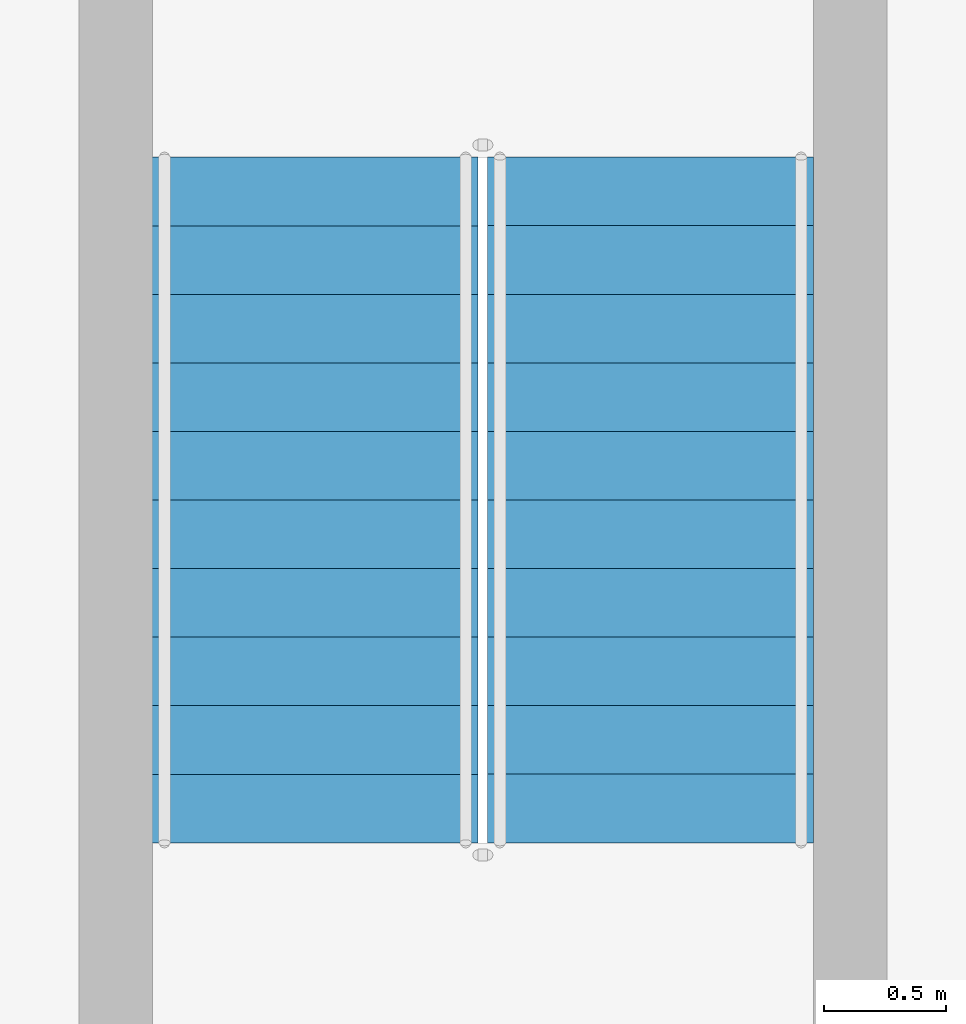
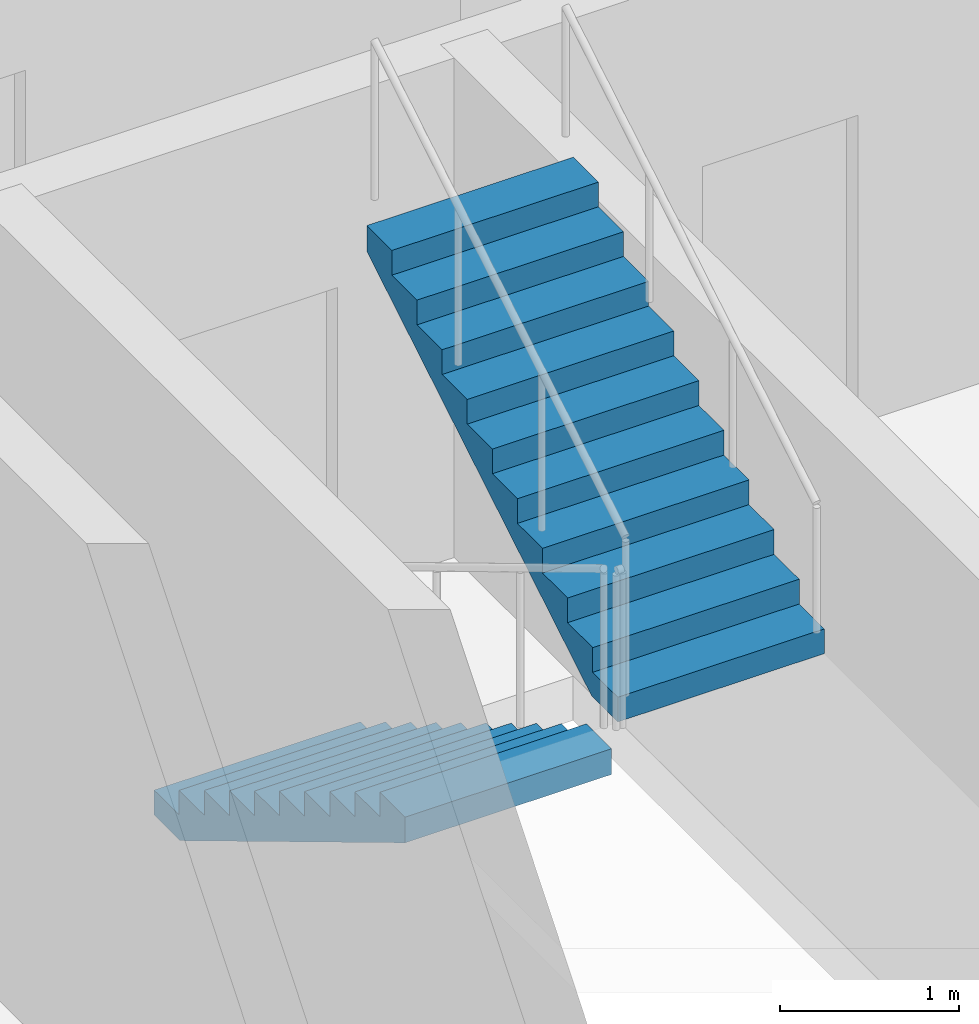
# One storey, part 30 of 40: 2 stair flights, 1 element without a shape of its own.
"""IFC4 building model written with IfcOpenShell, lengths in metres."""

from ifc_helpers import new_model, si_unit, direction, frame, origin, place, context, subcontext, project, spatial, triangles, source, transform, mapped, material, type_object, element, aggregate, save


model = new_model("IFC4")

# Units and contexts
model_context = context("Model", 3, precision=1e-05, world=origin(), true_north=direction((0.0, 1.0)))
body_context = subcontext(model_context, "Body", "Model", "MODEL_VIEW")
ifc_project = project(units=[si_unit("LENGTHUNIT", "METRE"), si_unit("AREAUNIT", "SQUARE_METRE"), si_unit("VOLUMEUNIT", "CUBIC_METRE"), si_unit("PLANEANGLEUNIT", "RADIAN"), si_unit("MASSUNIT", "GRAM", prefix="KILO")], contexts=[model_context])

# Site, building, storey
site_placement = place(None, origin())
site = spatial("IfcSite", under=ifc_project, at=site_placement, CompositionType="ELEMENT")
building_placement = place(site_placement, origin())
building = spatial("IfcBuilding", under=site, at=building_placement, Name="Ogive Portal Towers", CompositionType="ELEMENT")
storey_placement = place(building_placement, frame((0.0, 0.0, 87.10009765625)))
storey = spatial("IfcBuildingStorey", under=building, at=storey_placement, Name="L20", CompositionType="ELEMENT", Elevation=87.10009765625)

# Stair, stair flights
ifc_material = material(Name="Concrete C40/50", Category="concrete")
stair_type = type_object("IfcStairType", Name="INT-STAIR", PredefinedType="HALF_TURN_STAIR", material=ifc_material)
stair_placement = place(storey_placement, origin())
stair = element("IfcStair", 1, at=stair_placement, inside=storey, type_object=stair_type, Name="L20 Exit Stair ST-A4", PredefinedType="HALF_TURN_STAIR")
stair_flight_type = type_object("IfcStairFlightType", Name="INT-FLIGHT", PredefinedType="STRAIGHT", material=ifc_material)
shared_shape = source(origin(), body_context, "Body", "Tessellation", [
    triangles([(0.0, -0.6650390625, 0.0), (0.0, -0.384765625, 0.0), (0.0, -0.197021484375, 0.0), (0.0, -0.0830078125, 0.0), (0.0, -0.024658203125, 0.0), (0.0, -0.003173828125, 0.0), (0.0, 0.0, 0.0), (0.0, 0.003173828125, 0.0), (0.0, 0.024658203125, 0.0), (0.0, 0.0830078125, 0.0), (0.0, 0.197021484375, 0.0), (0.0, 0.384765625, 0.0), (0.0, 0.6650390625, 0.0), (0.0, -0.6650390625, 0.168212890625), (0.0, -0.384765625, 0.168212890625), (0.0, -0.197021484375, 0.168212890625), (0.0, -0.0830078125, 0.168212890625), (0.0, -0.024658203125, 0.168212890625), (0.0, -0.003173828125, 0.168212890625), (0.0, 0.0, 0.168212890625), (0.0, 0.003173828125, 0.168212890625), (0.0, 0.024658203125, 0.168212890625), (0.0, 0.0830078125, 0.168212890625), (0.0, 0.197021484375, 0.168212890625), (0.0, 0.384765625, 0.168212890625), (0.0, 0.6650390625, 0.168212890625), (0.280029296875, -0.6650390625, 0.168212890625), (0.280029296875, -0.384765625, 0.168212890625), (0.280029296875, -0.197021484375, 0.168212890625), (0.280029296875, -0.0830078125, 0.168212890625), (0.280029296875, -0.024658203125, 0.168212890625), (0.280029296875, -0.003173828125, 0.168212890625), (0.280029296875, 0.0, 0.168212890625), (0.280029296875, 0.003173828125, 0.168212890625), (0.280029296875, 0.024658203125, 0.168212890625), (0.280029296875, 0.0830078125, 0.168212890625), (0.280029296875, 0.197021484375, 0.168212890625), (0.280029296875, 0.384765625, 0.168212890625), (0.280029296875, 0.6650390625, 0.168212890625), (0.280029296875, -0.6650390625, 0.33642578125), (0.280029296875, -0.384765625, 0.33642578125), (0.280029296875, -0.197021484375, 0.33642578125), (0.280029296875, -0.0830078125, 0.33642578125), (0.280029296875, -0.024658203125, 0.33642578125), (0.280029296875, -0.003173828125, 0.33642578125), (0.280029296875, 0.0, 0.33642578125), (0.280029296875, 0.003173828125, 0.33642578125), (0.280029296875, 0.024658203125, 0.33642578125), (0.280029296875, 0.0830078125, 0.33642578125), (0.280029296875, 0.197021484375, 0.33642578125), (0.280029296875, 0.384765625, 0.33642578125), (0.280029296875, 0.6650390625, 0.33642578125), (0.56005859375, -0.6650390625, 0.33642578125), (0.56005859375, -0.384765625, 0.33642578125), (0.56005859375, -0.197021484375, 0.33642578125), (0.56005859375, -0.0830078125, 0.33642578125), (0.56005859375, -0.024658203125, 0.33642578125), (0.56005859375, -0.003173828125, 0.33642578125), (0.56005859375, 0.0, 0.33642578125), (0.56005859375, 0.003173828125, 0.33642578125), (0.56005859375, 0.024658203125, 0.33642578125), (0.56005859375, 0.0830078125, 0.33642578125), (0.56005859375, 0.197021484375, 0.33642578125), (0.56005859375, 0.384765625, 0.33642578125), (0.56005859375, 0.6650390625, 0.33642578125), (0.56005859375, -0.6650390625, 0.504638671875), (0.56005859375, -0.384765625, 0.504638671875), (0.56005859375, -0.197021484375, 0.504638671875), (0.56005859375, -0.0830078125, 0.504638671875), (0.56005859375, -0.024658203125, 0.504638671875), (0.56005859375, -0.003173828125, 0.504638671875), (0.56005859375, 0.0, 0.504638671875), (0.56005859375, 0.003173828125, 0.504638671875), (0.56005859375, 0.024658203125, 0.504638671875), (0.56005859375, 0.0830078125, 0.504638671875), (0.56005859375, 0.197021484375, 0.504638671875), (0.56005859375, 0.384765625, 0.504638671875), (0.56005859375, 0.6650390625, 0.504638671875), (0.840087890625, -0.6650390625, 0.504638671875), (0.840087890625, -0.384765625, 0.504638671875), (0.840087890625, -0.197021484375, 0.504638671875), (0.840087890625, -0.0830078125, 0.504638671875), (0.840087890625, -0.024658203125, 0.504638671875), (0.840087890625, -0.003173828125, 0.504638671875), (0.840087890625, 0.0, 0.504638671875), (0.840087890625, 0.003173828125, 0.504638671875), (0.840087890625, 0.024658203125, 0.504638671875), (0.840087890625, 0.0830078125, 0.504638671875), (0.840087890625, 0.197021484375, 0.504638671875), (0.840087890625, 0.384765625, 0.504638671875), (0.840087890625, 0.6650390625, 0.504638671875), (0.840087890625, -0.6650390625, 0.672607421875), (0.840087890625, -0.384765625, 0.672607421875), (0.840087890625, -0.197021484375, 0.672607421875), (0.840087890625, -0.0830078125, 0.672607421875), (0.840087890625, -0.024658203125, 0.672607421875), (0.840087890625, -0.003173828125, 0.672607421875), (0.840087890625, 0.0, 0.672607421875), (0.840087890625, 0.003173828125, 0.672607421875), (0.840087890625, 0.024658203125, 0.672607421875), (0.840087890625, 0.0830078125, 0.672607421875), (0.840087890625, 0.197021484375, 0.672607421875), (0.840087890625, 0.384765625, 0.672607421875), (0.840087890625, 0.6650390625, 0.672607421875), (1.1201171875, -0.6650390625, 0.672607421875), (1.1201171875, -0.384765625, 0.672607421875), (1.1201171875, -0.197021484375, 0.672607421875), (1.1201171875, -0.0830078125, 0.672607421875), (1.1201171875, -0.024658203125, 0.672607421875), (1.1201171875, -0.003173828125, 0.672607421875), (1.1201171875, 0.0, 0.672607421875), (1.1201171875, 0.003173828125, 0.672607421875), (1.1201171875, 0.024658203125, 0.672607421875), (1.1201171875, 0.0830078125, 0.672607421875), (1.1201171875, 0.197021484375, 0.672607421875), (1.1201171875, 0.384765625, 0.672607421875), (1.1201171875, 0.6650390625, 0.672607421875), (1.1201171875, -0.6650390625, 0.8408203125), (1.1201171875, -0.384765625, 0.8408203125), (1.1201171875, -0.197021484375, 0.8408203125), (1.1201171875, -0.0830078125, 0.8408203125), (1.1201171875, -0.024658203125, 0.8408203125), (1.1201171875, -0.003173828125, 0.8408203125), (1.1201171875, 0.0, 0.8408203125), (1.1201171875, 0.003173828125, 0.8408203125), (1.1201171875, 0.024658203125, 0.8408203125), (1.1201171875, 0.0830078125, 0.8408203125), (1.1201171875, 0.197021484375, 0.8408203125), (1.1201171875, 0.384765625, 0.8408203125), (1.1201171875, 0.6650390625, 0.8408203125), (1.39990234375, -0.6650390625, 0.8408203125), (1.39990234375, -0.384765625, 0.8408203125), (1.39990234375, -0.197021484375, 0.8408203125), (1.39990234375, -0.0830078125, 0.8408203125), (1.39990234375, -0.024658203125, 0.8408203125), (1.39990234375, -0.003173828125, 0.8408203125), (1.39990234375, 0.0, 0.8408203125), (1.39990234375, 0.003173828125, 0.8408203125), (1.39990234375, 0.024658203125, 0.8408203125), (1.39990234375, 0.0830078125, 0.8408203125), (1.39990234375, 0.197021484375, 0.8408203125), (1.39990234375, 0.384765625, 0.8408203125), (1.39990234375, 0.6650390625, 0.8408203125), (1.39990234375, -0.6650390625, 1.009033203125), (1.39990234375, -0.384765625, 1.009033203125), (1.39990234375, -0.197021484375, 1.009033203125), (1.39990234375, -0.0830078125, 1.009033203125), (1.39990234375, -0.024658203125, 1.009033203125), (1.39990234375, -0.003173828125, 1.009033203125), (1.39990234375, 0.0, 1.009033203125), (1.39990234375, 0.003173828125, 1.009033203125), (1.39990234375, 0.024658203125, 1.009033203125), (1.39990234375, 0.0830078125, 1.009033203125), (1.39990234375, 0.197021484375, 1.009033203125), (1.39990234375, 0.384765625, 1.009033203125), (1.39990234375, 0.6650390625, 1.009033203125), (1.679931640625, -0.6650390625, 1.009033203125), (1.679931640625, -0.384765625, 1.009033203125), (1.679931640625, -0.197021484375, 1.009033203125), (1.679931640625, -0.0830078125, 1.009033203125), (1.679931640625, -0.024658203125, 1.009033203125), (1.679931640625, -0.003173828125, 1.009033203125), (1.679931640625, 0.0, 1.009033203125), (1.679931640625, 0.003173828125, 1.009033203125), (1.679931640625, 0.024658203125, 1.009033203125), (1.679931640625, 0.0830078125, 1.009033203125), (1.679931640625, 0.197021484375, 1.009033203125), (1.679931640625, 0.384765625, 1.009033203125), (1.679931640625, 0.6650390625, 1.009033203125), (1.679931640625, -0.6650390625, 1.17724609375), (1.679931640625, -0.384765625, 1.17724609375), (1.679931640625, -0.197021484375, 1.17724609375), (1.679931640625, -0.0830078125, 1.17724609375), (1.679931640625, -0.024658203125, 1.17724609375), (1.679931640625, -0.003173828125, 1.17724609375), (1.679931640625, 0.0, 1.17724609375), (1.679931640625, 0.003173828125, 1.17724609375), (1.679931640625, 0.024658203125, 1.17724609375), (1.679931640625, 0.0830078125, 1.17724609375), (1.679931640625, 0.197021484375, 1.17724609375), (1.679931640625, 0.384765625, 1.17724609375), (1.679931640625, 0.6650390625, 1.17724609375), (1.9599609375, -0.6650390625, 1.17724609375), (1.9599609375, -0.384765625, 1.17724609375), (1.9599609375, -0.197021484375, 1.17724609375), (1.9599609375, -0.0830078125, 1.17724609375), (1.9599609375, -0.024658203125, 1.17724609375), (1.9599609375, -0.003173828125, 1.17724609375), (1.9599609375, 0.0, 1.17724609375), (1.9599609375, 0.003173828125, 1.17724609375), (1.9599609375, 0.024658203125, 1.17724609375), (1.9599609375, 0.0830078125, 1.17724609375), (1.9599609375, 0.197021484375, 1.17724609375), (1.9599609375, 0.384765625, 1.17724609375), (1.9599609375, 0.6650390625, 1.17724609375), (1.9599609375, -0.6650390625, 1.345458984375), (1.9599609375, -0.384765625, 1.345458984375), (1.9599609375, -0.197021484375, 1.345458984375), (1.9599609375, -0.0830078125, 1.345458984375), (1.9599609375, -0.024658203125, 1.345458984375), (1.9599609375, -0.003173828125, 1.345458984375), (1.9599609375, 0.0, 1.345458984375), (1.9599609375, 0.003173828125, 1.345458984375), (1.9599609375, 0.024658203125, 1.345458984375), (1.9599609375, 0.0830078125, 1.345458984375), (1.9599609375, 0.197021484375, 1.345458984375), (1.9599609375, 0.384765625, 1.345458984375), (1.9599609375, 0.6650390625, 1.345458984375), (2.239990234375, -0.6650390625, 1.345458984375), (2.239990234375, -0.384765625, 1.345458984375), (2.239990234375, -0.197021484375, 1.345458984375), (2.239990234375, -0.0830078125, 1.345458984375), (2.239990234375, -0.024658203125, 1.345458984375), (2.239990234375, -0.003173828125, 1.345458984375), (2.239990234375, 0.0, 1.345458984375), (2.239990234375, 0.003173828125, 1.345458984375), (2.239990234375, 0.024658203125, 1.345458984375), (2.239990234375, 0.0830078125, 1.345458984375), (2.239990234375, 0.197021484375, 1.345458984375), (2.239990234375, 0.384765625, 1.345458984375), (2.239990234375, 0.6650390625, 1.345458984375), (2.239990234375, -0.6650390625, 1.513671875), (2.239990234375, -0.384765625, 1.513671875), (2.239990234375, -0.197021484375, 1.513671875), (2.239990234375, -0.0830078125, 1.513671875), (2.239990234375, -0.024658203125, 1.513671875), (2.239990234375, -0.003173828125, 1.513671875), (2.239990234375, 0.0, 1.513671875), (2.239990234375, 0.003173828125, 1.513671875), (2.239990234375, 0.024658203125, 1.513671875), (2.239990234375, 0.0830078125, 1.513671875), (2.239990234375, 0.197021484375, 1.513671875), (2.239990234375, 0.384765625, 1.513671875), (2.239990234375, 0.6650390625, 1.513671875), (2.52001953125, -0.6650390625, 1.513671875), (2.52001953125, -0.384765625, 1.513671875), (2.52001953125, -0.197021484375, 1.513671875), (2.52001953125, -0.0830078125, 1.513671875), (2.52001953125, -0.024658203125, 1.513671875), (2.52001953125, -0.003173828125, 1.513671875), (2.52001953125, 0.0, 1.513671875), (2.52001953125, 0.003173828125, 1.513671875), (2.52001953125, 0.024658203125, 1.513671875), (2.52001953125, 0.0830078125, 1.513671875), (2.52001953125, 0.197021484375, 1.513671875), (2.52001953125, 0.384765625, 1.513671875), (2.52001953125, 0.6650390625, 1.513671875), (2.52001953125, -0.6650390625, 1.681884765625), (2.52001953125, -0.384765625, 1.681884765625), (2.52001953125, -0.197021484375, 1.681884765625), (2.52001953125, -0.0830078125, 1.681884765625), (2.52001953125, -0.024658203125, 1.681884765625), (2.52001953125, -0.003173828125, 1.681884765625), (2.52001953125, 0.0, 1.681884765625), (2.52001953125, 0.003173828125, 1.681884765625), (2.52001953125, 0.024658203125, 1.681884765625), (2.52001953125, 0.0830078125, 1.681884765625), (2.52001953125, 0.197021484375, 1.681884765625), (2.52001953125, 0.384765625, 1.681884765625), (2.52001953125, 0.6650390625, 1.681884765625), (2.800048828125, -0.6650390625, 1.681884765625), (2.800048828125, -0.384765625, 1.681884765625), (2.800048828125, -0.197021484375, 1.681884765625), (2.800048828125, -0.0830078125, 1.681884765625), (2.800048828125, -0.024658203125, 1.681884765625), (2.800048828125, -0.003173828125, 1.681884765625), (2.800048828125, 0.0, 1.681884765625), (2.800048828125, 0.003173828125, 1.681884765625), (2.800048828125, 0.024658203125, 1.681884765625), (2.800048828125, 0.0830078125, 1.681884765625), (2.800048828125, 0.197021484375, 1.681884765625), (2.800048828125, 0.384765625, 1.681884765625), (2.800048828125, 0.6650390625, 1.681884765625), (2.800048828125, -0.6650390625, 1.5068359375), (2.800048828125, -0.384765625, 1.5068359375), (2.800048828125, -0.197021484375, 1.5068359375), (2.800048828125, -0.0830078125, 1.5068359375), (2.800048828125, -0.024658203125, 1.5068359375), (2.800048828125, -0.003173828125, 1.5068359375), (2.800048828125, 0.0, 1.5068359375), (2.800048828125, 0.003173828125, 1.5068359375), (2.800048828125, 0.024658203125, 1.5068359375), (2.800048828125, 0.0830078125, 1.5068359375), (2.800048828125, 0.197021484375, 1.5068359375), (2.800048828125, 0.384765625, 1.5068359375), (2.800048828125, 0.6650390625, 1.5068359375), (0.291015625, -0.6650390625, 0.0), (0.291015625, -0.384765625, 0.0), (0.291015625, -0.197021484375, 0.0), (0.291015625, -0.0830078125, 0.0), (0.291015625, -0.024658203125, 0.0), (0.291015625, -0.003173828125, 0.0), (0.291015625, 0.0, 0.0), (0.291015625, 0.003173828125, 0.0), (0.291015625, 0.024658203125, 0.0), (0.291015625, 0.0830078125, 0.0), (0.291015625, 0.197021484375, 0.0), (0.291015625, 0.384765625, 0.0), (0.291015625, 0.6650390625, 0.0)], [[1, 14, 15], [1, 15, 2], [2, 15, 16], [2, 16, 3], [3, 16, 17], [3, 17, 4], [4, 17, 18], [4, 18, 5], [5, 18, 19], [5, 19, 6], [6, 19, 20], [6, 20, 7], [7, 20, 21], [7, 21, 8], [8, 21, 22], [8, 22, 9], [9, 22, 23], [9, 23, 10], [10, 23, 24], [10, 24, 11], [11, 24, 25], [11, 25, 12], [12, 25, 26], [12, 26, 13], [14, 27, 28], [14, 28, 15], [15, 28, 29], [15, 29, 16], [16, 29, 30], [16, 30, 17], [17, 30, 31], [17, 31, 18], [18, 31, 32], [18, 32, 19], [19, 32, 33], [19, 33, 20], [20, 33, 34], [20, 34, 21], [21, 34, 35], [21, 35, 22], [22, 35, 36], [22, 36, 23], [23, 36, 37], [23, 37, 24], [24, 37, 38], [24, 38, 25], [25, 38, 39], [25, 39, 26], [27, 40, 41], [27, 41, 28], [28, 41, 42], [28, 42, 29], [29, 42, 43], [29, 43, 30], [30, 43, 44], [30, 44, 31], [31, 44, 45], [31, 45, 32], [32, 45, 46], [32, 46, 33], [33, 46, 47], [33, 47, 34], [34, 47, 48], [34, 48, 35], [35, 48, 49], [35, 49, 36], [36, 49, 50], [36, 50, 37], [37, 50, 51], [37, 51, 38], [38, 51, 52], [38, 52, 39], [40, 53, 54], [40, 54, 41], [41, 54, 55], [41, 55, 42], [42, 55, 56], [42, 56, 43], [43, 56, 57], [43, 57, 44], [44, 57, 58], [44, 58, 45], [45, 58, 59], [45, 59, 46], [46, 59, 60], [46, 60, 47], [47, 60, 61], [47, 61, 48], [48, 61, 62], [48, 62, 49], [49, 62, 63], [49, 63, 50], [50, 63, 64], [50, 64, 51], [51, 64, 65], [51, 65, 52], [53, 66, 67], [53, 67, 54], [54, 67, 68], [54, 68, 55], [55, 68, 69], [55, 69, 56], [56, 69, 70], [56, 70, 57], [57, 70, 71], [57, 71, 58], [58, 71, 72], [58, 72, 59], [59, 72, 73], [59, 73, 60], [60, 73, 74], [60, 74, 61], [61, 74, 75], [61, 75, 62], [62, 75, 76], [62, 76, 63], [63, 76, 77], [63, 77, 64], [64, 77, 78], [64, 78, 65], [66, 79, 80], [66, 80, 67], [67, 80, 81], [67, 81, 68], [68, 81, 82], [68, 82, 69], [69, 82, 83], [69, 83, 70], [70, 83, 84], [70, 84, 71], [71, 84, 85], [71, 85, 72], [72, 85, 86], [72, 86, 73], [73, 86, 87], [73, 87, 74], [74, 87, 88], [74, 88, 75], [75, 88, 89], [75, 89, 76], [76, 89, 90], [76, 90, 77], [77, 90, 91], [77, 91, 78], [79, 92, 93], [79, 93, 80], [80, 93, 94], [80, 94, 81], [81, 94, 95], [81, 95, 82], [82, 95, 96], [82, 96, 83], [83, 96, 97], [83, 97, 84], [84, 97, 98], [84, 98, 85], [85, 98, 99], [85, 99, 86], [86, 99, 100], [86, 100, 87], [87, 100, 101], [87, 101, 88], [88, 101, 102], [88, 102, 89], [89, 102, 103], [89, 103, 90], [90, 103, 104], [90, 104, 91], [92, 105, 106], [92, 106, 93], [93, 106, 107], [93, 107, 94], [94, 107, 108], [94, 108, 95], [95, 108, 109], [95, 109, 96], [96, 109, 110], [96, 110, 97], [97, 110, 111], [97, 111, 98], [98, 111, 112], [98, 112, 99], [99, 112, 113], [99, 113, 100], [100, 113, 114], [100, 114, 101], [101, 114, 115], [101, 115, 102], [102, 115, 116], [102, 116, 103], [103, 116, 117], [103, 117, 104], [105, 118, 119], [105, 119, 106], [106, 119, 120], [106, 120, 107], [107, 120, 121], [107, 121, 108], [108, 121, 122], [108, 122, 109], [109, 122, 123], [109, 123, 110], [110, 123, 124], [110, 124, 111], [111, 124, 125], [111, 125, 112], [112, 125, 126], [112, 126, 113], [113, 126, 127], [113, 127, 114], [114, 127, 128], [114, 128, 115], [115, 128, 129], [115, 129, 116], [116, 129, 130], [116, 130, 117], [118, 131, 132], [118, 132, 119], [119, 132, 133], [119, 133, 120], [120, 133, 134], [120, 134, 121], [121, 134, 135], [121, 135, 122], [122, 135, 136], [122, 136, 123], [123, 136, 137], [123, 137, 124], [124, 137, 138], [124, 138, 125], [125, 138, 139], [125, 139, 126], [126, 139, 140], [126, 140, 127], [127, 140, 141], [127, 141, 128], [128, 141, 142], [128, 142, 129], [129, 142, 143], [129, 143, 130], [131, 144, 145], [131, 145, 132], [132, 145, 146], [132, 146, 133], [133, 146, 147], [133, 147, 134], [134, 147, 148], [134, 148, 135], [135, 148, 149], [135, 149, 136], [136, 149, 150], [136, 150, 137], [137, 150, 151], [137, 151, 138], [138, 151, 152], [138, 152, 139], [139, 152, 153], [139, 153, 140], [140, 153, 154], [140, 154, 141], [141, 154, 155], [141, 155, 142], [142, 155, 156], [142, 156, 143], [144, 157, 158], [144, 158, 145], [145, 158, 159], [145, 159, 146], [146, 159, 160], [146, 160, 147], [147, 160, 161], [147, 161, 148], [148, 161, 162], [148, 162, 149], [149, 162, 163], [149, 163, 150], [150, 163, 164], [150, 164, 151], [151, 164, 165], [151, 165, 152], [152, 165, 166], [152, 166, 153], [153, 166, 167], [153, 167, 154], [154, 167, 168], [154, 168, 155], [155, 168, 169], [155, 169, 156], [157, 170, 171], [157, 171, 158], [158, 171, 172], [158, 172, 159], [159, 172, 173], [159, 173, 160], [160, 173, 174], [160, 174, 161], [161, 174, 175], [161, 175, 162], [162, 175, 176], [162, 176, 163], [163, 176, 177], [163, 177, 164], [164, 177, 178], [164, 178, 165], [165, 178, 179], [165, 179, 166], [166, 179, 180], [166, 180, 167], [167, 180, 181], [167, 181, 168], [168, 181, 182], [168, 182, 169], [170, 183, 184], [170, 184, 171], [171, 184, 185], [171, 185, 172], [172, 185, 186], [172, 186, 173], [173, 186, 187], [173, 187, 174], [174, 187, 188], [174, 188, 175], [175, 188, 189], [175, 189, 176], [176, 189, 190], [176, 190, 177], [177, 190, 191], [177, 191, 178], [178, 191, 192], [178, 192, 179], [179, 192, 193], [179, 193, 180], [180, 193, 194], [180, 194, 181], [181, 194, 195], [181, 195, 182], [183, 196, 197], [183, 197, 184], [184, 197, 198], [184, 198, 185], [185, 198, 199], [185, 199, 186], [186, 199, 200], [186, 200, 187], [187, 200, 201], [187, 201, 188], [188, 201, 202], [188, 202, 189], [189, 202, 203], [189, 203, 190], [190, 203, 204], [190, 204, 191], [191, 204, 205], [191, 205, 192], [192, 205, 206], [192, 206, 193], [193, 206, 207], [193, 207, 194], [194, 207, 208], [194, 208, 195], [196, 209, 210], [196, 210, 197], [197, 210, 211], [197, 211, 198], [198, 211, 212], [198, 212, 199], [199, 212, 213], [199, 213, 200], [200, 213, 214], [200, 214, 201], [201, 214, 215], [201, 215, 202], [202, 215, 216], [202, 216, 203], [203, 216, 217], [203, 217, 204], [204, 217, 218], [204, 218, 205], [205, 218, 219], [205, 219, 206], [206, 219, 220], [206, 220, 207], [207, 220, 221], [207, 221, 208], [209, 222, 223], [209, 223, 210], [210, 223, 224], [210, 224, 211], [211, 224, 225], [211, 225, 212], [212, 225, 226], [212, 226, 213], [213, 226, 227], [213, 227, 214], [214, 227, 228], [214, 228, 215], [215, 228, 229], [215, 229, 216], [216, 229, 230], [216, 230, 217], [217, 230, 231], [217, 231, 218], [218, 231, 232], [218, 232, 219], [219, 232, 233], [219, 233, 220], [220, 233, 234], [220, 234, 221], [222, 235, 236], [222, 236, 223], [223, 236, 237], [223, 237, 224], [224, 237, 238], [224, 238, 225], [225, 238, 239], [225, 239, 226], [226, 239, 240], [226, 240, 227], [227, 240, 241], [227, 241, 228], [228, 241, 242], [228, 242, 229], [229, 242, 243], [229, 243, 230], [230, 243, 244], [230, 244, 231], [231, 244, 245], [231, 245, 232], [232, 245, 246], [232, 246, 233], [233, 246, 247], [233, 247, 234], [235, 248, 249], [235, 249, 236], [236, 249, 250], [236, 250, 237], [237, 250, 251], [237, 251, 238], [238, 251, 252], [238, 252, 239], [239, 252, 253], [239, 253, 240], [240, 253, 254], [240, 254, 241], [241, 254, 255], [241, 255, 242], [242, 255, 256], [242, 256, 243], [243, 256, 257], [243, 257, 244], [244, 257, 258], [244, 258, 245], [245, 258, 259], [245, 259, 246], [246, 259, 260], [246, 260, 247], [248, 261, 262], [248, 262, 249], [249, 262, 263], [249, 263, 250], [250, 263, 264], [250, 264, 251], [251, 264, 265], [251, 265, 252], [252, 265, 266], [252, 266, 253], [253, 266, 267], [253, 267, 254], [254, 267, 268], [254, 268, 255], [255, 268, 269], [255, 269, 256], [256, 269, 270], [256, 270, 257], [257, 270, 271], [257, 271, 258], [258, 271, 272], [258, 272, 259], [259, 272, 273], [259, 273, 260], [261, 274, 275], [261, 275, 262], [262, 275, 276], [262, 276, 263], [263, 276, 277], [263, 277, 264], [264, 277, 278], [264, 278, 265], [265, 278, 279], [265, 279, 266], [266, 279, 280], [266, 280, 267], [267, 280, 281], [267, 281, 268], [268, 281, 282], [268, 282, 269], [269, 282, 283], [269, 283, 270], [270, 283, 284], [270, 284, 271], [271, 284, 285], [271, 285, 272], [272, 285, 286], [272, 286, 273], [274, 287, 288], [274, 288, 275], [275, 288, 289], [275, 289, 276], [276, 289, 290], [276, 290, 277], [277, 290, 291], [277, 291, 278], [278, 291, 292], [278, 292, 279], [279, 292, 293], [279, 293, 280], [280, 293, 294], [280, 294, 281], [281, 294, 295], [281, 295, 282], [282, 295, 296], [282, 296, 283], [283, 296, 297], [283, 297, 284], [284, 297, 298], [284, 298, 285], [285, 298, 299], [285, 299, 286], [287, 1, 2], [287, 2, 288], [288, 2, 3], [288, 3, 289], [289, 3, 4], [289, 4, 290], [290, 4, 5], [290, 5, 291], [291, 5, 6], [291, 6, 292], [292, 6, 7], [292, 7, 293], [293, 7, 8], [293, 8, 294], [294, 8, 9], [294, 9, 295], [295, 9, 10], [295, 10, 296], [296, 10, 11], [296, 11, 297], [297, 11, 12], [297, 12, 298], [298, 12, 13], [298, 13, 299], [1, 287, 274], [13, 286, 299], [274, 261, 248], [286, 260, 273], [274, 248, 235], [286, 247, 260], [274, 235, 222], [286, 234, 247], [274, 222, 209], [286, 221, 234], [209, 196, 183], [221, 195, 208], [274, 209, 183], [286, 195, 221], [183, 170, 157], [195, 169, 182], [274, 183, 157], [286, 169, 195], [157, 144, 131], [169, 143, 156], [274, 157, 131], [286, 143, 169], [131, 118, 105], [143, 117, 130], [274, 131, 105], [286, 117, 143], [1, 274, 105], [13, 117, 286], [105, 92, 79], [117, 91, 104], [79, 66, 53], [91, 65, 78], [105, 79, 53], [117, 65, 91], [53, 40, 27], [65, 39, 52], [105, 53, 27], [117, 39, 65], [1, 105, 27], [13, 39, 117], [27, 14, 1], [39, 13, 26]], closed=True),
])
stair_flight_1_placement = place(storey_placement, frame((87.6650390625, 29.169921875, 0.0), z_axis=(0.0, 0.0, 1.0), x_axis=(0.0, -1.0, 0.0)))
stair_flight_1 = element("IfcStairFlight", 2, at=stair_flight_1_placement, type_object=stair_flight_type, Name="ST-A4 flight 1", NumberOfRisers=11, NumberOfTreads=10, PredefinedType="STRAIGHT", RiserHeight=0.168181818, TreadLength=0.28, context=body_context, shape_type="MappedRepresentation", body=[
    mapped(shared_shape, transform((0.0, 0.0, 0.0), scale=1.0)),
])
stair_flight_2_placement = place(storey_placement, frame((89.034912109375, 26.3701171875, 1.849853515625), z_axis=(0.0, 0.0, 1.0), x_axis=(0.0, 1.0, 0.0)))
stair_flight_2 = element("IfcStairFlight", 3, at=stair_flight_2_placement, type_object=stair_flight_type, Name="ST-A4 flight 2", NumberOfRisers=11, NumberOfTreads=10, PredefinedType="STRAIGHT", RiserHeight=0.168181818, TreadLength=0.28, context=body_context, shape_type="MappedRepresentation", body=[
    mapped(shared_shape, transform((0.0, 0.0, 0.0), scale=1.0)),
])
aggregate(stair, [stair_flight_1, stair_flight_2])

save(model, "model.ifc")
